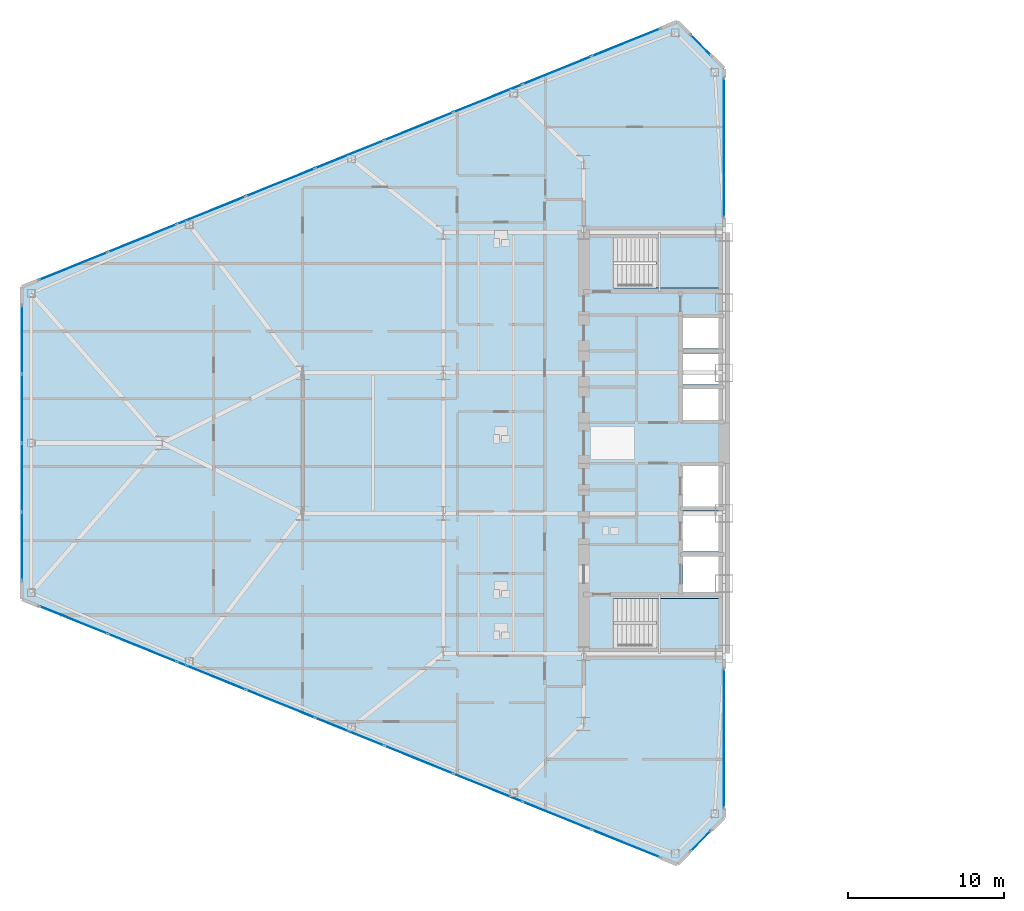
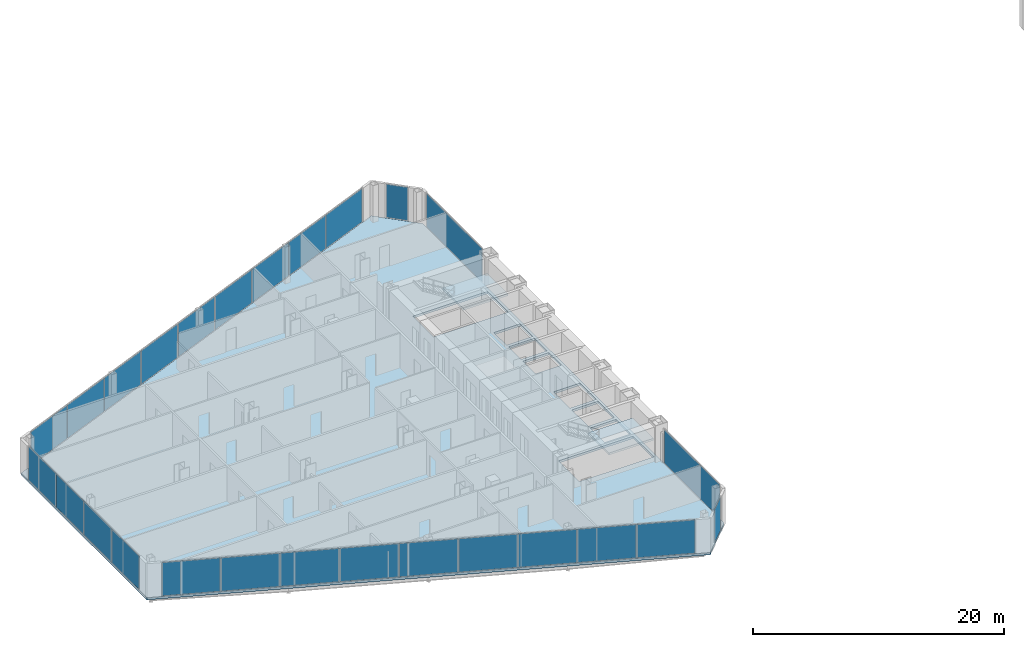
# One storey, part 15 of 25: 26 plates, 3 slabs, 9 elements without a shape of their own.
"""IFC4 building model written with IfcOpenShell, lengths in metres."""

from ifc_helpers import new_model, si_unit, direction, frame, origin, origin_2d, place, context, subcontext, project, spatial, polyline, rectangle, outline, extrude, source, transform, mapped, material, layer, layer_set, type_object, type_shapes, element, aggregate, save


model = new_model("IFC4")

# Units and contexts
model_context = context("Model", 3, precision=1e-05, world=origin(), true_north=direction((0.0, 1.0)))
body_context = subcontext(model_context, "Body", "Model", "MODEL_VIEW")
ifc_project = project(units=[si_unit("LENGTHUNIT", "METRE"), si_unit("AREAUNIT", "SQUARE_METRE"), si_unit("VOLUMEUNIT", "CUBIC_METRE"), si_unit("PLANEANGLEUNIT", "RADIAN"), si_unit("MASSUNIT", "GRAM", prefix="KILO")], contexts=[model_context])

# Site, building, storey
site_placement = place(None, origin())
site = spatial("IfcSite", under=ifc_project, at=site_placement, CompositionType="ELEMENT")
building_placement = place(site_placement, origin())
building = spatial("IfcBuilding", under=site, at=building_placement, Name="Seokmaru Belvedere", CompositionType="ELEMENT")
storey_placement = place(building_placement, frame((0.0, 0.0, 36.89990234375)))
storey = spatial("IfcBuildingStorey", under=building, at=storey_placement, Name="L09", CompositionType="ELEMENT", Elevation=36.89990234375)

# Stair, slab
ifc_material_1 = material(Name="Concrete C40 (40 MPa)", Category="concrete")
stair_type = type_object("IfcStairType", Name="Typical Tower Core Dog-Leg Stair 3600", PredefinedType="TWO_STRAIGHT_RUN_STAIR", material=ifc_material_1)
stair_1_placement = place(storey_placement, origin())
stair_1 = element("IfcStair", 1, at=stair_1_placement, inside=storey, type_object=stair_type, Name="L09 Special Escape Stair ST-W1", PredefinedType="TWO_STRAIGHT_RUN_STAIR")
ifc_layer_1 = layer(ifc_material_1, 0.199951171875)
ifc_layer_set_1 = layer_set([ifc_layer_1], Name="Concrete C40 (40 MPa)")
slab_type_1 = type_object("IfcSlabType", Name="Reinforced Concrete Stair Landing Slab 200", PredefinedType="LANDING", material=ifc_layer_set_1)
slab_1_placement = place(storey_placement, frame((0.0, 0.0, 1.60009765625)))
slab_1 = element("IfcSlab", 2, at=slab_1_placement, type_object=slab_type_1, Name="ST-W1 landing 1", PredefinedType="LANDING", context=body_context, shape_type="SweptSolid", body=[
    extrude(outline(polyline([(-31.8798828125, -13.239990234375), (-27.760009765625, -13.239990234375), (-27.760009765625, -9.949951171875), (-31.8798828125, -9.949951171875), (-31.8798828125, -13.239990234375)])), origin(), (0.0, 0.0, 1.0), 0.199951171875),
])
aggregate(stair_1, [slab_1])

stair_2_placement = place(storey_placement, origin())
stair_2 = element("IfcStair", 3, at=stair_2_placement, inside=storey, type_object=stair_type, Name="L09 Special Escape Stair ST-W2", PredefinedType="TWO_STRAIGHT_RUN_STAIR")
slab_2_placement = place(storey_placement, frame((0.0, 0.0, 1.60009765625)))
slab_2 = element("IfcSlab", 4, at=slab_2_placement, type_object=slab_type_1, Name="ST-W2 landing 1", PredefinedType="LANDING", context=body_context, shape_type="SweptSolid", body=[
    extrude(outline(polyline([(-31.8798828125, 9.949951171875), (-27.760009765625, 9.949951171875), (-27.760009765625, 13.239990234375), (-31.8798828125, 13.239990234375), (-31.8798828125, 9.949951171875)])), origin(), (0.0, 0.0, 1.0), 0.199951171875),
])
aggregate(stair_2, [slab_2])

# Slab
ifc_layer_2 = layer(ifc_material_1, 0.219970703125)
ifc_layer_set_2 = layer_set([ifc_layer_2], Name="Concrete C40 (40 MPa)")
slab_type_2 = type_object("IfcSlabType", Name="Typical Tower Composite Floor Slab 220", PredefinedType="FLOOR", material=ifc_layer_set_2)
slab_3_placement = place(storey_placement, frame((0.0, 0.0, -0.219970703125)))
element("IfcSlab", 5, at=slab_3_placement, inside=storey, type_object=slab_type_2, Name="L09 West Leg Floor Slab", PredefinedType="FLOOR", context=body_context, shape_type="SweptSolid", body=[
    extrude(outline(polyline([(-27.5, -24.0), (-27.5, 24.0), (-30.5, 27.0), (-72.5, 10.0), (-72.5, -10.0), (-30.5, -27.0), (-27.5, -24.0)]), holes=[polyline([(-34.60009765625, -13.25), (-27.75, -13.25), (-27.75, -9.949951171875), (-34.60009765625, -9.949951171875), (-34.60009765625, -13.25)]), polyline([(-34.60009765625, 9.949951171875), (-27.75, 9.949951171875), (-27.75, 13.25), (-34.60009765625, 13.25), (-34.60009765625, 9.949951171875)]), polyline([(-30.14990234375, -9.550048828125), (-27.75, -9.550048828125), (-27.75, -7.25), (-30.14990234375, -7.25), (-30.14990234375, -9.550048828125)]), polyline([(-30.14990234375, -6.949951171875), (-27.75, -6.949951171875), (-27.75, -4.35009765625), (-30.14990234375, -4.35009765625), (-30.14990234375, -6.949951171875)]), polyline([(-30.14990234375, -4.050048828125), (-27.75, -4.050048828125), (-27.75, -1.449951171875), (-30.14990234375, -1.449951171875), (-30.14990234375, -4.050048828125)]), polyline([(-30.14990234375, 1.449951171875), (-27.75, 1.449951171875), (-27.75, 3.449951171875), (-30.14990234375, 3.449951171875), (-30.14990234375, 1.449951171875)]), polyline([(-30.14990234375, 3.75), (-27.75, 3.75), (-27.75, 5.75), (-30.14990234375, 5.75), (-30.14990234375, 3.75)]), polyline([(-30.14990234375, 6.050048828125), (-27.75, 6.050048828125), (-27.75, 8.050048828125), (-30.14990234375, 8.050048828125), (-30.14990234375, 6.050048828125)])]), origin(), (0.0, 0.0, 1.0), 0.219970703125),
])

# Curtain wall, plate
ifc_material_2 = material(Name="Bronze Triple Insulating Glass", Category="glass")
ifc_layer_3 = layer(ifc_material_2, 0.2099609375)
ifc_layer_set_3 = layer_set([ifc_layer_3], Name="Bronze Triple Insulating Glass")
curtain_wall_type = type_object("IfcCurtainWallType", Name="Low-Rise Faceted Crystal Curtain Wall System CW-2", PredefinedType="NOTDEFINED", material=ifc_layer_set_3)
curtain_wall_1_placement = place(storey_placement, origin())
curtain_wall_1 = element("IfcCurtainWall", 6, at=curtain_wall_1_placement, inside=storey, type_object=curtain_wall_type, Name="L09 Curtain Wall WSP_1", PredefinedType="NOTDEFINED")
ifc_layer_4 = layer(ifc_material_2, 0.035888671875)
ifc_layer_set_4 = layer_set([ifc_layer_4], Name="Bronze Triple Insulating Glass")
plate_type = type_object("IfcPlateType", Name="Bronze Triple Vision Glazing Panel 36", PredefinedType="CURTAIN_PANEL", material=ifc_layer_set_4)
shared_shape_1 = source(origin(), body_context, "Body", "SweptSolid", [
    extrude(rectangle(XDim=8.85009765625, YDim=0.035888671875, at=origin_2d()), origin(), (0.0, 0.0, 1.0), 3.239990234375),
])
plate_1_placement = place(storey_placement, frame((-27.5, -18.929931640625, 0.0703125), z_axis=(0.0, 0.0, 1.0), x_axis=(0.0, 1.0, 0.0)))
plate_1 = element("IfcPlate", 7, at=plate_1_placement, type_object=plate_type, Name="CW:L09:WSP_1 Glazing Panel 1-1", PredefinedType="CURTAIN_PANEL", context=body_context, shape_type="MappedRepresentation", body=[
    mapped(shared_shape_1, transform((0.0, 0.0, 0.0), scale=1.0)),
])
aggregate(curtain_wall_1, [plate_1])

curtain_wall_2_placement = place(storey_placement, origin())
curtain_wall_2 = element("IfcCurtainWall", 8, at=curtain_wall_2_placement, inside=storey, type_object=curtain_wall_type, Name="L09 Curtain Wall WSP_2", PredefinedType="NOTDEFINED")
plate_2_placement = place(storey_placement, frame((-27.5, 18.929931640625, 0.0703125), z_axis=(0.0, 0.0, 1.0), x_axis=(0.0, 1.0, 0.0)))
plate_2 = element("IfcPlate", 9, at=plate_2_placement, type_object=plate_type, Name="CW:L09:WSP_2 Glazing Panel 1-1", PredefinedType="CURTAIN_PANEL", context=body_context, shape_type="MappedRepresentation", body=[
    mapped(shared_shape_1, transform((0.0, 0.0, 0.0), scale=1.0)),
])
aggregate(curtain_wall_2, [plate_2])

curtain_wall_3_placement = place(storey_placement, origin())
curtain_wall_3 = element("IfcCurtainWall", 10, at=curtain_wall_3_placement, inside=storey, type_object=curtain_wall_type, Name="L09 Curtain Wall WF2", PredefinedType="NOTDEFINED")
shared_shape_2 = source(origin(), body_context, "Body", "SweptSolid", [
    extrude(rectangle(XDim=1.79248046875, YDim=0.035888671875, at=origin_2d()), origin(), (0.0, 0.0, 1.0), 3.239990234375),
])
plate_3_placement = place(storey_placement, frame((-29.0, 25.5, 0.0703125), z_axis=(0.0, 0.0, 1.0), x_axis=(-0.707106781187, 0.707106781187, 0.0)))
plate_3 = element("IfcPlate", 11, at=plate_3_placement, type_object=plate_type, Name="CW:L09:WF2 Glazing Panel 1-1", PredefinedType="CURTAIN_PANEL", context=body_context, shape_type="MappedRepresentation", body=[
    mapped(shared_shape_2, transform((0.0, 0.0, 0.0), scale=1.0)),
])
aggregate(curtain_wall_3, [plate_3])

curtain_wall_4_placement = place(storey_placement, origin())
curtain_wall_4 = element("IfcCurtainWall", 12, at=curtain_wall_4_placement, inside=storey, type_object=curtain_wall_type, Name="L09 Curtain Wall WF6", PredefinedType="NOTDEFINED")
plate_4_placement = place(storey_placement, frame((-29.0, -25.5, 0.0703125), z_axis=(0.0, 0.0, 1.0), x_axis=(0.707106781187, 0.707106781187, 0.0)))
plate_4 = element("IfcPlate", 13, at=plate_4_placement, type_object=plate_type, Name="CW:L09:WF6 Glazing Panel 1-1", PredefinedType="CURTAIN_PANEL", context=body_context, shape_type="MappedRepresentation", body=[
    mapped(shared_shape_2, transform((0.0, 0.0, 0.0), scale=1.0)),
])
aggregate(curtain_wall_4, [plate_4])

# Curtain wall, plates
curtain_wall_5_placement = place(storey_placement, origin())
curtain_wall_5 = element("IfcCurtainWall", 14, at=curtain_wall_5_placement, inside=storey, type_object=curtain_wall_type, Name="L09 Curtain Wall WF3", PredefinedType="NOTDEFINED")
shared_shape_3 = source(origin(), body_context, "Body", "SweptSolid", [
    extrude(rectangle(XDim=4.66650390625, YDim=0.035888671875, at=origin_2d()), origin(), (0.0, 0.0, 1.0), 3.239990234375),
])
plate_5_placement = place(storey_placement, frame((-33.79833984375, 25.6650390625, 0.0703125), z_axis=(0.0, 0.0, 1.0), x_axis=(-0.926946989637, -0.375192321888, 0.0)))
plate_5 = element("IfcPlate", 15, at=plate_5_placement, type_object=plate_type, Name="CW:L09:WF3 Glazing Panel 1-1", PredefinedType="CURTAIN_PANEL", context=body_context, shape_type="MappedRepresentation", body=[
    mapped(shared_shape_3, transform((0.0, 0.0, 0.0), scale=1.0)),
])
plate_6_placement = place(storey_placement, frame((-69.20166015625, 11.3349609375, 0.0703125), z_axis=(0.0, 0.0, 1.0), x_axis=(-0.926946989637, -0.375192321888, 0.0)))
plate_6 = element("IfcPlate", 16, at=plate_6_placement, type_object=plate_type, Name="CW:L09:WF3 Glazing Panel 9-1", PredefinedType="CURTAIN_PANEL", context=body_context, shape_type="MappedRepresentation", body=[
    mapped(shared_shape_3, transform((0.0, 0.0, 0.0), scale=1.0)),
])

curtain_wall_6_placement = place(storey_placement, origin())
curtain_wall_6 = element("IfcCurtainWall", 17, at=curtain_wall_6_placement, inside=storey, type_object=curtain_wall_type, Name="L09 Curtain Wall WF5", PredefinedType="NOTDEFINED")
plate_7_placement = place(storey_placement, frame((-69.20166015625, -11.3349609375, 0.0703125), z_axis=(0.0, 0.0, 1.0), x_axis=(0.926946989637, -0.375192321888, 0.0)))
plate_7 = element("IfcPlate", 18, at=plate_7_placement, type_object=plate_type, Name="CW:L09:WF5 Glazing Panel 1-1", PredefinedType="CURTAIN_PANEL", context=body_context, shape_type="MappedRepresentation", body=[
    mapped(shared_shape_3, transform((0.0, 0.0, 0.0), scale=1.0)),
])
plate_8_placement = place(storey_placement, frame((-33.79833984375, -25.6650390625, 0.0703125), z_axis=(0.0, 0.0, 1.0), x_axis=(0.926946989637, -0.375192321888, 0.0)))
plate_8 = element("IfcPlate", 19, at=plate_8_placement, type_object=plate_type, Name="CW:L09:WF5 Glazing Panel 9-1", PredefinedType="CURTAIN_PANEL", context=body_context, shape_type="MappedRepresentation", body=[
    mapped(shared_shape_3, transform((0.0, 0.0, 0.0), scale=1.0)),
])

# Plate
shared_shape_4 = source(origin(), body_context, "Body", "SweptSolid", [
    extrude(rectangle(XDim=4.703857421875, YDim=0.035888671875, at=origin_2d()), origin(), (0.0, 0.0, 1.0), 3.239990234375),
])
plate_9_placement = place(storey_placement, frame((-38.210693359375, 23.87890625, 0.0703125), z_axis=(0.0, 0.0, 1.0), x_axis=(-0.926946989637, -0.375192321888, 0.0)))
plate_9 = element("IfcPlate", 20, at=plate_9_placement, type_object=plate_type, Name="CW:L09:WF3 Glazing Panel 2-1", PredefinedType="CURTAIN_PANEL", context=body_context, shape_type="MappedRepresentation", body=[
    mapped(shared_shape_4, transform((0.0, 0.0, 0.0), scale=1.0)),
])

plate_10_placement = place(storey_placement, frame((-42.640380859375, 22.0859375, 0.0703125), z_axis=(0.0, 0.0, 1.0), x_axis=(-0.926946989637, -0.375192321888, 0.0)))
plate_10 = element("IfcPlate", 21, at=plate_10_placement, type_object=plate_type, Name="CW:L09:WF3 Glazing Panel 3-1", PredefinedType="CURTAIN_PANEL", context=body_context, shape_type="MappedRepresentation", body=[
    mapped(shared_shape_4, transform((0.0, 0.0, 0.0), scale=1.0)),
])

plate_11_placement = place(storey_placement, frame((-47.0703125, 20.29296875, 0.0703125), z_axis=(0.0, 0.0, 1.0), x_axis=(-0.926946989637, -0.375192321888, 0.0)))
plate_11 = element("IfcPlate", 22, at=plate_11_placement, type_object=plate_type, Name="CW:L09:WF3 Glazing Panel 4-1", PredefinedType="CURTAIN_PANEL", context=body_context, shape_type="MappedRepresentation", body=[
    mapped(shared_shape_4, transform((0.0, 0.0, 0.0), scale=1.0)),
])

plate_12_placement = place(storey_placement, frame((-51.5, 18.5, 0.0703125), z_axis=(0.0, 0.0, 1.0), x_axis=(-0.926946989637, -0.375192321888, 0.0)))
plate_12 = element("IfcPlate", 23, at=plate_12_placement, type_object=plate_type, Name="CW:L09:WF3 Glazing Panel 5-1", PredefinedType="CURTAIN_PANEL", context=body_context, shape_type="MappedRepresentation", body=[
    mapped(shared_shape_4, transform((0.0, 0.0, 0.0), scale=1.0)),
])

plate_13_placement = place(storey_placement, frame((-55.9296875, 16.70703125, 0.0703125), z_axis=(0.0, 0.0, 1.0), x_axis=(-0.926946989637, -0.375192321888, 0.0)))
plate_13 = element("IfcPlate", 24, at=plate_13_placement, type_object=plate_type, Name="CW:L09:WF3 Glazing Panel 6-1", PredefinedType="CURTAIN_PANEL", context=body_context, shape_type="MappedRepresentation", body=[
    mapped(shared_shape_4, transform((0.0, 0.0, 0.0), scale=1.0)),
])

plate_14_placement = place(storey_placement, frame((-60.359619140625, 14.9140625, 0.0703125), z_axis=(0.0, 0.0, 1.0), x_axis=(-0.926946989637, -0.375192321888, 0.0)))
plate_14 = element("IfcPlate", 25, at=plate_14_placement, type_object=plate_type, Name="CW:L09:WF3 Glazing Panel 7-1", PredefinedType="CURTAIN_PANEL", context=body_context, shape_type="MappedRepresentation", body=[
    mapped(shared_shape_4, transform((0.0, 0.0, 0.0), scale=1.0)),
])

plate_15_placement = place(storey_placement, frame((-64.789306640625, 13.12109375, 0.0703125), z_axis=(0.0, 0.0, 1.0), x_axis=(-0.926946989637, -0.375192321888, 0.0)))
plate_15 = element("IfcPlate", 26, at=plate_15_placement, type_object=plate_type, Name="CW:L09:WF3 Glazing Panel 8-1", PredefinedType="CURTAIN_PANEL", context=body_context, shape_type="MappedRepresentation", body=[
    mapped(shared_shape_4, transform((0.0, 0.0, 0.0), scale=1.0)),
])

aggregate(curtain_wall_5, [plate_5, plate_9, plate_10, plate_11, plate_12, plate_13, plate_14, plate_15, plate_6])

plate_16_placement = place(storey_placement, frame((-64.789306640625, -13.12109375, 0.0703125), z_axis=(0.0, 0.0, 1.0), x_axis=(0.926946989637, -0.375192321888, 0.0)))
plate_16 = element("IfcPlate", 27, at=plate_16_placement, type_object=plate_type, Name="CW:L09:WF5 Glazing Panel 2-1", PredefinedType="CURTAIN_PANEL", context=body_context, shape_type="MappedRepresentation", body=[
    mapped(shared_shape_4, transform((0.0, 0.0, 0.0), scale=1.0)),
])

plate_17_placement = place(storey_placement, frame((-60.359619140625, -14.9140625, 0.0703125), z_axis=(0.0, 0.0, 1.0), x_axis=(0.926946989637, -0.375192321888, 0.0)))
plate_17 = element("IfcPlate", 28, at=plate_17_placement, type_object=plate_type, Name="CW:L09:WF5 Glazing Panel 3-1", PredefinedType="CURTAIN_PANEL", context=body_context, shape_type="MappedRepresentation", body=[
    mapped(shared_shape_4, transform((0.0, 0.0, 0.0), scale=1.0)),
])

plate_18_placement = place(storey_placement, frame((-55.9296875, -16.70703125, 0.0703125), z_axis=(0.0, 0.0, 1.0), x_axis=(0.926946989637, -0.375192321888, 0.0)))
plate_18 = element("IfcPlate", 29, at=plate_18_placement, type_object=plate_type, Name="CW:L09:WF5 Glazing Panel 4-1", PredefinedType="CURTAIN_PANEL", context=body_context, shape_type="MappedRepresentation", body=[
    mapped(shared_shape_4, transform((0.0, 0.0, 0.0), scale=1.0)),
])

plate_19_placement = place(storey_placement, frame((-51.5, -18.5, 0.0703125), z_axis=(0.0, 0.0, 1.0), x_axis=(0.926946989637, -0.375192321888, 0.0)))
plate_19 = element("IfcPlate", 30, at=plate_19_placement, type_object=plate_type, Name="CW:L09:WF5 Glazing Panel 5-1", PredefinedType="CURTAIN_PANEL", context=body_context, shape_type="MappedRepresentation", body=[
    mapped(shared_shape_4, transform((0.0, 0.0, 0.0), scale=1.0)),
])

plate_20_placement = place(storey_placement, frame((-47.0703125, -20.29296875, 0.0703125), z_axis=(0.0, 0.0, 1.0), x_axis=(0.926946989637, -0.375192321888, 0.0)))
plate_20 = element("IfcPlate", 31, at=plate_20_placement, type_object=plate_type, Name="CW:L09:WF5 Glazing Panel 6-1", PredefinedType="CURTAIN_PANEL", context=body_context, shape_type="MappedRepresentation", body=[
    mapped(shared_shape_4, transform((0.0, 0.0, 0.0), scale=1.0)),
])

plate_21_placement = place(storey_placement, frame((-42.640380859375, -22.0859375, 0.0703125), z_axis=(0.0, 0.0, 1.0), x_axis=(0.926946989637, -0.375192321888, 0.0)))
plate_21 = element("IfcPlate", 32, at=plate_21_placement, type_object=plate_type, Name="CW:L09:WF5 Glazing Panel 7-1", PredefinedType="CURTAIN_PANEL", context=body_context, shape_type="MappedRepresentation", body=[
    mapped(shared_shape_4, transform((0.0, 0.0, 0.0), scale=1.0)),
])

plate_22_placement = place(storey_placement, frame((-38.210693359375, -23.87890625, 0.0703125), z_axis=(0.0, 0.0, 1.0), x_axis=(0.926946989637, -0.375192321888, 0.0)))
plate_22 = element("IfcPlate", 33, at=plate_22_placement, type_object=plate_type, Name="CW:L09:WF5 Glazing Panel 8-1", PredefinedType="CURTAIN_PANEL", context=body_context, shape_type="MappedRepresentation", body=[
    mapped(shared_shape_4, transform((0.0, 0.0, 0.0), scale=1.0)),
])

aggregate(curtain_wall_6, [plate_7, plate_16, plate_17, plate_18, plate_19, plate_20, plate_21, plate_22, plate_8])

# Curtain wall, plates
curtain_wall_7_placement = place(storey_placement, origin())
curtain_wall_7 = element("IfcCurtainWall", 34, at=curtain_wall_7_placement, inside=storey, type_object=curtain_wall_type, Name="L09 Curtain Wall WF4", PredefinedType="NOTDEFINED")
shared_shape_5 = source(origin(), body_context, "Body", "SweptSolid", [
    extrude(rectangle(XDim=4.3125, YDim=0.035888671875, at=origin_2d()), origin(), (0.0, 0.0, 1.0), 3.239990234375),
])
plate_23_placement = place(storey_placement, frame((-72.5, 6.61865234375, 0.0703125), z_axis=(0.0, 0.0, 1.0), x_axis=(0.0, -1.0, 0.0)))
plate_23 = element("IfcPlate", 35, at=plate_23_placement, type_object=plate_type, Name="CW:L09:WF4 Glazing Panel 1-1", PredefinedType="CURTAIN_PANEL", context=body_context, shape_type="MappedRepresentation", body=[
    mapped(shared_shape_5, transform((0.0, 0.0, 0.0), scale=1.0)),
])
plate_24_placement = place(storey_placement, frame((-72.5, -6.61865234375, 0.0703125), z_axis=(0.0, 0.0, 1.0), x_axis=(0.0, -1.0, 0.0)))
plate_24 = element("IfcPlate", 36, at=plate_24_placement, type_object=plate_type, Name="CW:L09:WF4 Glazing Panel 4-1", PredefinedType="CURTAIN_PANEL", context=body_context, shape_type="MappedRepresentation", body=[
    mapped(shared_shape_5, transform((0.0, 0.0, 0.0), scale=1.0)),
])
shared_shape_6 = source(origin(), body_context, "Body", "SweptSolid", [
    extrude(rectangle(XDim=4.35009765625, YDim=0.035888671875, at=origin_2d()), origin(), (0.0, 0.0, 1.0), 3.239990234375),
])
type_shapes(plate_type, [shared_shape_1, shared_shape_2, shared_shape_3, shared_shape_4, shared_shape_5, shared_shape_6])
plate_25_placement = place(storey_placement, frame((-72.5, 2.21240234375, 0.0703125), z_axis=(0.0, 0.0, 1.0), x_axis=(0.0, -1.0, 0.0)))
plate_25 = element("IfcPlate", 37, at=plate_25_placement, type_object=plate_type, Name="CW:L09:WF4 Glazing Panel 2-1", PredefinedType="CURTAIN_PANEL", context=body_context, shape_type="MappedRepresentation", body=[
    mapped(shared_shape_6, transform((0.0, 0.0, 0.0), scale=1.0)),
])
plate_26_placement = place(storey_placement, frame((-72.5, -2.21240234375, 0.0703125), z_axis=(0.0, 0.0, 1.0), x_axis=(0.0, -1.0, 0.0)))
plate_26 = element("IfcPlate", 38, at=plate_26_placement, type_object=plate_type, Name="CW:L09:WF4 Glazing Panel 3-1", PredefinedType="CURTAIN_PANEL", context=body_context, shape_type="MappedRepresentation", body=[
    mapped(shared_shape_6, transform((0.0, 0.0, 0.0), scale=1.0)),
])
aggregate(curtain_wall_7, [plate_23, plate_25, plate_26, plate_24])

save(model, "model.ifc")
